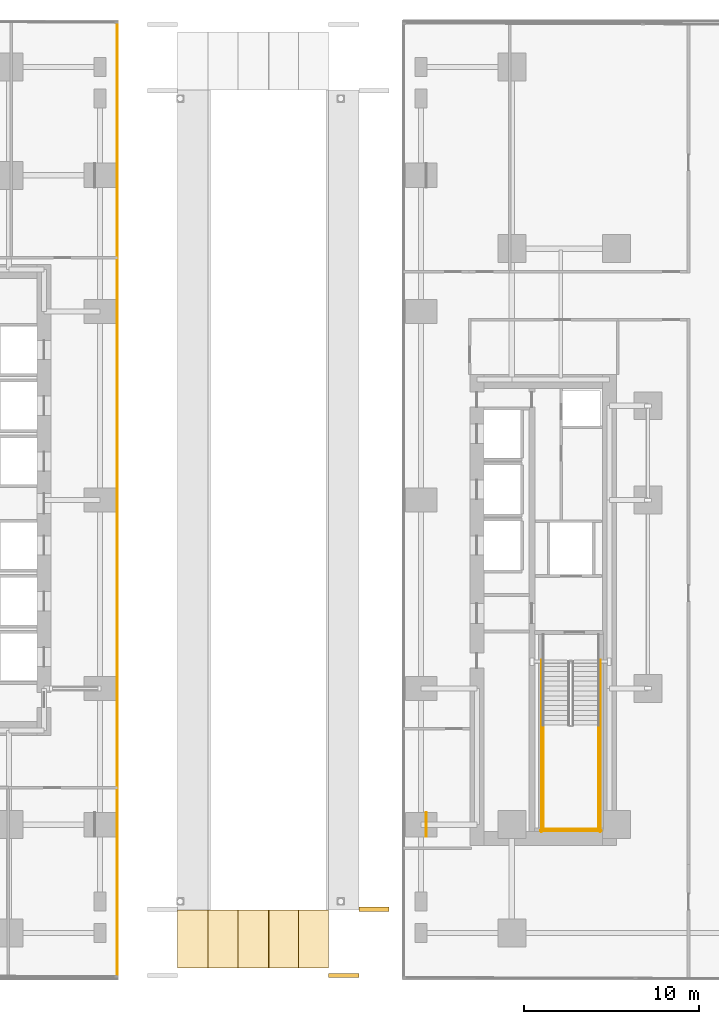
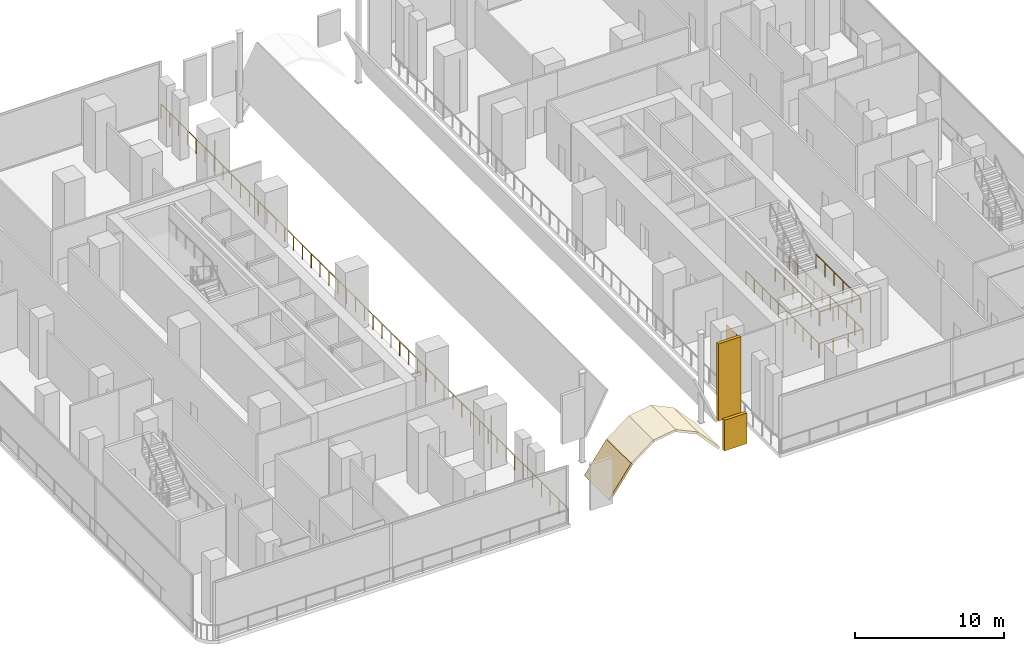
# One storey, part 24 of 31: 8 coverings, 7 railings.
"""IFC4 building model written with IfcOpenShell, lengths in metres."""

from ifc_helpers import new_model, si_unit, direction, frame, origin, origin_2d, place, context, subcontext, project, spatial, polyline, rectangle, circle, outline, extrude, material, layer, layer_set, type_object, element, save


model = new_model("IFC4")

# Units and contexts
model_context = context("Model", 3, precision=1e-05, world=origin(), true_north=direction((0.0, 1.0)))
body_context = subcontext(model_context, "Body", "Model", "MODEL_VIEW")
ifc_project = project(units=[si_unit("LENGTHUNIT", "METRE"), si_unit("AREAUNIT", "SQUARE_METRE"), si_unit("VOLUMEUNIT", "CUBIC_METRE"), si_unit("PLANEANGLEUNIT", "RADIAN"), si_unit("MASSUNIT", "GRAM", prefix="KILO")], contexts=[model_context])

# Site, building, storey
site_placement = place(None, origin())
site = spatial("IfcSite", under=ifc_project, at=site_placement, CompositionType="ELEMENT")
building_placement = place(site_placement, origin())
building = spatial("IfcBuilding", under=site, at=building_placement, Name="Khairoan Windgate Tower", CompositionType="ELEMENT")
storey_placement = place(building_placement, frame((0.0, 0.0, 11.0)))
storey = spatial("IfcBuildingStorey", under=building, at=storey_placement, Name="L03", CompositionType="ELEMENT", Elevation=11.0)

# Railing
ifc_material_1 = material(Name="Anodised Bronze Aluminium 6063-T6", Category="aluminium")
railing_type_1 = type_object("IfcRailingType", Name="Aerodynamic Bronze-and-Glass Balustrade BAL-1200", PredefinedType="BALUSTRADE", material=ifc_material_1)
railing_1_placement = place(storey_placement, frame((-8.199951171875, 27.356689453125, 0.0)))
element("IfcRailing", 1, at=railing_1_placement, inside=storey, type_object=railing_type_1, Name="L03 Arch Void Edge Guardrail 1", PredefinedType="BALUSTRADE", context=body_context, shape_type="SweptSolid", body=[
    extrude(circle(Radius=0.02392578125, at=origin_2d()), frame((0.0, 0.0, 1.17578125), z_axis=(0.0, -1.0, 0.0), x_axis=(1.0, 0.0, 0.0)), (0.0, 0.0, 1.0), 54.661865234375),
    extrude(circle(Radius=0.02099609375, at=origin_2d()), origin(), (0.0, 0.0, 1.0), 1.15185546875),
    extrude(circle(Radius=0.02099609375, at=origin_2d()), frame((0.0, -1.188232421875, 0.0)), (0.0, 0.0, 1.0), 1.15185546875),
    extrude(circle(Radius=0.02099609375, at=origin_2d()), frame((0.0, -2.376708984375, 0.0)), (0.0, 0.0, 1.0), 1.15185546875),
    extrude(circle(Radius=0.02099609375, at=origin_2d()), frame((0.0, -3.56494140625, 0.0)), (0.0, 0.0, 1.0), 1.15185546875),
    extrude(circle(Radius=0.02099609375, at=origin_2d()), frame((0.0, -4.753173828125, 0.0)), (0.0, 0.0, 1.0), 1.15185546875),
    extrude(circle(Radius=0.02099609375, at=origin_2d()), frame((0.0, -5.94140625, 0.0)), (0.0, 0.0, 1.0), 1.15185546875),
    extrude(circle(Radius=0.02099609375, at=origin_2d()), frame((0.0, -7.1298828125, 0.0)), (0.0, 0.0, 1.0), 1.15185546875),
    extrude(circle(Radius=0.02099609375, at=origin_2d()), frame((0.0, -8.318115234375, 0.0)), (0.0, 0.0, 1.0), 1.15185546875),
    extrude(circle(Radius=0.02099609375, at=origin_2d()), frame((0.0, -9.50634765625, 0.0)), (0.0, 0.0, 1.0), 1.15185546875),
    extrude(circle(Radius=0.02099609375, at=origin_2d()), frame((0.0, -10.69482421875, 0.0)), (0.0, 0.0, 1.0), 1.15185546875),
    extrude(circle(Radius=0.02099609375, at=origin_2d()), frame((0.0, -11.883056640625, 0.0)), (0.0, 0.0, 1.0), 1.15185546875),
    extrude(circle(Radius=0.02099609375, at=origin_2d()), frame((0.0, -13.0712890625, 0.0)), (0.0, 0.0, 1.0), 1.15185546875),
    extrude(circle(Radius=0.02099609375, at=origin_2d()), frame((0.0, -14.259521484375, 0.0)), (0.0, 0.0, 1.0), 1.15185546875),
    extrude(circle(Radius=0.02099609375, at=origin_2d()), frame((0.0, -15.447998046875, 0.0)), (0.0, 0.0, 1.0), 1.15185546875),
    extrude(circle(Radius=0.02099609375, at=origin_2d()), frame((0.0, -16.63623046875, 0.0)), (0.0, 0.0, 1.0), 1.15185546875),
    extrude(circle(Radius=0.02099609375, at=origin_2d()), frame((0.0, -17.824462890625, 0.0)), (0.0, 0.0, 1.0), 1.15185546875),
    extrude(circle(Radius=0.02099609375, at=origin_2d()), frame((0.0, -19.012939453125, 0.0)), (0.0, 0.0, 1.0), 1.15185546875),
    extrude(circle(Radius=0.02099609375, at=origin_2d()), frame((0.0, -20.201171875, 0.0)), (0.0, 0.0, 1.0), 1.15185546875),
    extrude(circle(Radius=0.02099609375, at=origin_2d()), frame((0.0, -21.389404296875, 0.0)), (0.0, 0.0, 1.0), 1.15185546875),
    extrude(circle(Radius=0.02099609375, at=origin_2d()), frame((0.0, -22.57763671875, 0.0)), (0.0, 0.0, 1.0), 1.15185546875),
    extrude(circle(Radius=0.02099609375, at=origin_2d()), frame((0.0, -23.76611328125, 0.0)), (0.0, 0.0, 1.0), 1.15185546875),
    extrude(circle(Radius=0.02099609375, at=origin_2d()), frame((0.0, -24.954345703125, 0.0)), (0.0, 0.0, 1.0), 1.15185546875),
    extrude(circle(Radius=0.02099609375, at=origin_2d()), frame((0.0, -26.142578125, 0.0)), (0.0, 0.0, 1.0), 1.15185546875),
    extrude(circle(Radius=0.02099609375, at=origin_2d()), frame((0.0, -27.3310546875, 0.0)), (0.0, 0.0, 1.0), 1.15185546875),
    extrude(circle(Radius=0.02099609375, at=origin_2d()), frame((0.0, -28.519287109375, 0.0)), (0.0, 0.0, 1.0), 1.15185546875),
    extrude(circle(Radius=0.02099609375, at=origin_2d()), frame((0.0, -29.70751953125, 0.0)), (0.0, 0.0, 1.0), 1.15185546875),
    extrude(circle(Radius=0.02099609375, at=origin_2d()), frame((0.0, -30.895751953125, 0.0)), (0.0, 0.0, 1.0), 1.15185546875),
    extrude(circle(Radius=0.02099609375, at=origin_2d()), frame((0.0, -32.084228515625, 0.0)), (0.0, 0.0, 1.0), 1.15185546875),
    extrude(circle(Radius=0.02099609375, at=origin_2d()), frame((0.0, -33.2724609375, 0.0)), (0.0, 0.0, 1.0), 1.15185546875),
    extrude(circle(Radius=0.02099609375, at=origin_2d()), frame((0.0, -34.460693359375, 0.0)), (0.0, 0.0, 1.0), 1.15185546875),
    extrude(circle(Radius=0.02099609375, at=origin_2d()), frame((0.0, -35.64892578125, 0.0)), (0.0, 0.0, 1.0), 1.15185546875),
    extrude(circle(Radius=0.02099609375, at=origin_2d()), frame((0.0, -36.83740234375, 0.0)), (0.0, 0.0, 1.0), 1.15185546875),
    extrude(circle(Radius=0.02099609375, at=origin_2d()), frame((0.0, -38.025634765625, 0.0)), (0.0, 0.0, 1.0), 1.15185546875),
    extrude(circle(Radius=0.02099609375, at=origin_2d()), frame((0.0, -39.2138671875, 0.0)), (0.0, 0.0, 1.0), 1.15185546875),
    extrude(circle(Radius=0.02099609375, at=origin_2d()), frame((0.0, -40.40234375, 0.0)), (0.0, 0.0, 1.0), 1.15185546875),
    extrude(circle(Radius=0.02099609375, at=origin_2d()), frame((0.0, -41.590576171875, 0.0)), (0.0, 0.0, 1.0), 1.15185546875),
    extrude(circle(Radius=0.02099609375, at=origin_2d()), frame((0.0, -42.77880859375, 0.0)), (0.0, 0.0, 1.0), 1.15185546875),
    extrude(circle(Radius=0.02099609375, at=origin_2d()), frame((0.0, -43.967041015625, 0.0)), (0.0, 0.0, 1.0), 1.15185546875),
    extrude(circle(Radius=0.02099609375, at=origin_2d()), frame((0.0, -45.155517578125, 0.0)), (0.0, 0.0, 1.0), 1.15185546875),
    extrude(circle(Radius=0.02099609375, at=origin_2d()), frame((0.0, -46.34375, 0.0)), (0.0, 0.0, 1.0), 1.15185546875),
    extrude(circle(Radius=0.02099609375, at=origin_2d()), frame((0.0, -47.531982421875, 0.0)), (0.0, 0.0, 1.0), 1.15185546875),
    extrude(circle(Radius=0.02099609375, at=origin_2d()), frame((0.0, -48.720458984375, 0.0)), (0.0, 0.0, 1.0), 1.15185546875),
    extrude(circle(Radius=0.02099609375, at=origin_2d()), frame((0.0, -49.90869140625, 0.0)), (0.0, 0.0, 1.0), 1.15185546875),
    extrude(circle(Radius=0.02099609375, at=origin_2d()), frame((0.0, -51.096923828125, 0.0)), (0.0, 0.0, 1.0), 1.15185546875),
    extrude(circle(Radius=0.02099609375, at=origin_2d()), frame((0.0, -52.28515625, 0.0)), (0.0, 0.0, 1.0), 1.15185546875),
    extrude(circle(Radius=0.02099609375, at=origin_2d()), frame((0.0, -53.4736328125, 0.0)), (0.0, 0.0, 1.0), 1.15185546875),
    extrude(circle(Radius=0.02099609375, at=origin_2d()), frame((0.0, -54.661865234375, 0.0)), (0.0, 0.0, 1.0), 1.15185546875),
])

# Coverings
ifc_material_2 = material(Name="Anodised Bronze Aluminium 6063-T6", Category="aluminium")
ifc_layer_1 = layer(ifc_material_2, 0.0400390625, Name="Anodised Bronze Aluminium 6063-T6")
ifc_layer_set_1 = layer_set([ifc_layer_1], Name="Anodised Bronze Aluminium 6063-T6")
covering_type_1 = type_object("IfcCoveringType", Name="Anodised Bronze Arch Pier Cladding", PredefinedType="CLADDING", material=ifc_layer_set_1)
covering_1_placement = place(storey_placement, frame((9.5, -18.60009765625, 0.0), z_axis=(0.0, 0.0, 1.0), x_axis=(1.0, 0.0, 0.0)))
element("IfcCovering", 2, at=covering_1_placement, inside=storey, type_object=covering_type_1, Name="L03 Arch Pier Bronze Cladding 02", PredefinedType="CLADDING", context=body_context, shape_type="SweptSolid", body=[
    extrude(rectangle(XDim=0.0400390625, YDim=1.39990234375, at=origin_2d()), origin(), (0.0, 0.0, 1.0), 4.39990234375),
])
ifc_material_3 = material(Name="Anodised Bronze Aluminium 6063-T6", Category="aluminium")
ifc_layer_2 = layer(ifc_material_3, 0.179931640625, Name="Anodised Bronze Aluminium 6063-T6")
ifc_layer_set_2 = layer_set([ifc_layer_2], Name="Anodised Bronze Aluminium 6063-T6")
covering_type_2 = type_object("IfcCoveringType", Name="Sculpted Parabolic Arch and Crown Cladding", PredefinedType="CLADDING", material=ifc_layer_set_2)
covering_2_placement = place(storey_placement, frame((-4.739990234375, -26.800048828125, 0.35693359375), z_axis=(-0.809216253039, 0.0, 0.587510898467), x_axis=(0.587510898467, 0.0, 0.809216253039)))
element("IfcCovering", 3, at=covering_2_placement, inside=storey, type_object=covering_type_2, Name="Podium Parabolic Arch Mouth Vault S-03", PredefinedType="CLADDING", context=body_context, shape_type="SweptSolid", body=[
    extrude(outline(polyline([(0.0, 0.0), (2.9445929824701955, 0.0), (2.9445929824701955, 3.300048828125), (0.0, 3.300048828125), (0.0, 0.0)])), origin(), (0.0, 0.0, -1.0), 0.179931640625),
])
covering_3_placement = place(storey_placement, frame((-3.010009765625, -26.800048828125, 2.73974609375), z_axis=(-0.606337334834, 0.0, 0.795207542964), x_axis=(0.795207542964, 0.0, 0.606337334834)))
element("IfcCovering", 4, at=covering_3_placement, inside=storey, type_object=covering_type_2, Name="Podium Parabolic Arch Mouth Vault S-04", PredefinedType="CLADDING", context=body_context, shape_type="SweptSolid", body=[
    extrude(outline(polyline([(0.0, 0.0), (2.1755081224484973, 0.0), (2.1755081224484973, 3.300048828125), (0.0, 3.300048828125), (0.0, 0.0)])), origin(), (0.0, 0.0, -1.0), 0.179931640625),
])
covering_4_placement = place(storey_placement, frame((-1.280029296875, -26.800048828125, 4.058837890625), z_axis=(-0.145895913517, 0.0, 0.989299945628), x_axis=(0.989299945628, 0.0, 0.145895913517)))
element("IfcCovering", 5, at=covering_4_placement, inside=storey, type_object=covering_type_2, Name="Podium Parabolic Arch Mouth Vault S-05", PredefinedType="CLADDING", context=body_context, shape_type="SweptSolid", body=[
    extrude(outline(polyline([(0.0, 0.0), (1.7486915635604, 0.0), (1.7486915635604, 3.300048828125001), (0.0, 3.300048828125001), (0.0, 0.0)])), origin(), (0.0, 0.0, -1.0), 0.179931640625),
])
covering_5_placement = place(storey_placement, frame((0.449951171875, -26.800048828125, 4.31396484375), z_axis=(0.423431307248, 0.0, 0.905928213515), x_axis=(0.905928213515, 0.0, -0.423431307248)))
element("IfcCovering", 6, at=covering_5_placement, inside=storey, type_object=covering_type_2, Name="Podium Parabolic Arch Mouth Vault S-06", PredefinedType="CLADDING", context=body_context, shape_type="SweptSolid", body=[
    extrude(outline(polyline([(0.0, 0.0), (1.909622024065373, 0.0), (1.909622024065373, 3.3000488281249996), (0.0, 3.3000488281249996), (0.0, 0.0)])), origin(), (0.0, 0.0, -1.0), 0.179931640625),
])
covering_6_placement = place(storey_placement, frame((2.179931640625, -26.800048828125, 3.50537109375), z_axis=(0.734472899278, 0.0, 0.678638018553), x_axis=(0.678638018553, 0.0, -0.734472899278)))
element("IfcCovering", 7, at=covering_6_placement, inside=storey, type_object=covering_type_2, Name="Podium Parabolic Arch Mouth Vault S-07", PredefinedType="CLADDING", context=body_context, shape_type="SweptSolid", body=[
    extrude(outline(polyline([(0.0, 0.0), (2.5491947421955112, 0.0), (2.5491947421955112, 3.300048828125), (0.0, 3.300048828125), (0.0, 0.0)])), origin(), (0.0, 0.0, -1.0), 0.179931640625),
])
covering_7_placement = place(storey_placement, frame((4.77490234375, -27.25, 1.682861328125), z_axis=(0.0, 0.0, 1.0), x_axis=(1.0, 0.0, 0.0)))
element("IfcCovering", 8, at=covering_7_placement, inside=storey, type_object=covering_type_2, Name="Podium Parabolic Arch Tympanum Cladding S-08", PredefinedType="CLADDING", context=body_context, shape_type="SweptSolid", body=[
    extrude(rectangle(XDim=1.72998046875, YDim=0.239990234375, at=origin_2d()), origin(), (0.0, 0.0, 1.0), 2.51708984375),
])
covering_8_placement = place(storey_placement, frame((6.5048828125, -23.449951171875, 1.223388671875), z_axis=(0.0, 0.0, 1.0), x_axis=(1.0, 0.0, 0.0)))
element("IfcCovering", 9, at=covering_8_placement, inside=storey, type_object=covering_type_2, Name="Upper Parabolic Arch Tympanum Cladding S-09", PredefinedType="CLADDING", context=body_context, shape_type="SweptSolid", body=[
    extrude(rectangle(XDim=1.72998046875, YDim=0.239990234375, at=origin_2d()), origin(), (0.0, 0.0, 1.0), 6.31689453125),
])

# Railings
ifc_material_4 = material(Name="Steel S355", Category="steel")
railing_type_2 = type_object("IfcRailingType", Name="Stairwell Safety Guardrail SGR-1150", PredefinedType="GUARDRAIL", material=ifc_material_4)
for number, where, name in (
    (10, (16.199951171875, -12.89990234375, 2.5), "L03 ST1 stair guard 3"),
    (11, (19.3701171875, -12.89990234375, 2.5), "L03 ST1 stair guard 4"),
):
    element("IfcRailing", number, at=place(storey_placement, frame(where)), inside=storey, type_object=railing_type_2, Name=name, PredefinedType="GUARDRAIL", context=body_context, shape_type="SweptSolid", body=[
        extrude(circle(Radius=0.02392578125, at=origin_2d()), frame((0.0, 0.0, 1.1259765625), z_axis=(0.0, -1.0, 0.0), x_axis=(1.0, 0.0, 0.0)), (0.0, 0.0, 1.0), 6.0),
        extrude(circle(Radius=0.02099609375, at=origin_2d()), origin(), (0.0, 0.0, 1.0), 1.101806640625),
        extrude(circle(Radius=0.02099609375, at=origin_2d()), frame((0.0, -1.199951171875, 0.0)), (0.0, 0.0, 1.0), 1.101806640625),
        extrude(circle(Radius=0.02099609375, at=origin_2d()), frame((0.0, -2.39990234375, 0.0)), (0.0, 0.0, 1.0), 1.101806640625),
        extrude(circle(Radius=0.02099609375, at=origin_2d()), frame((0.0, -3.60009765625, 0.0)), (0.0, 0.0, 1.0), 1.101806640625),
        extrude(circle(Radius=0.02099609375, at=origin_2d()), frame((0.0, -4.800048828125, 0.0)), (0.0, 0.0, 1.0), 1.101806640625),
        extrude(circle(Radius=0.02099609375, at=origin_2d()), frame((0.0, -6.0, 0.0)), (0.0, 0.0, 1.0), 1.101806640625),
    ])
railing_2_placement = place(storey_placement, frame((16.14990234375, -18.85009765625, 2.5)))
element("IfcRailing", 12, at=railing_2_placement, inside=storey, type_object=railing_type_2, Name="L03 ST1 stair guard 5", PredefinedType="GUARDRAIL", context=body_context, shape_type="SweptSolid", body=[
    extrude(circle(Radius=0.02392578125, at=origin_2d()), frame((0.0, 0.0, 1.1259765625), z_axis=(1.0, 0.0, 0.0), x_axis=(0.0, 1.0, 0.0)), (0.0, 0.0, 1.0), 3.27001953125),
    extrude(circle(Radius=0.02099609375, at=origin_2d()), origin(), (0.0, 0.0, 1.0), 1.101806640625),
    extrude(circle(Radius=0.02099609375, at=origin_2d()), frame((1.090087890625, 0.0, 0.0)), (0.0, 0.0, 1.0), 1.101806640625),
    extrude(circle(Radius=0.02099609375, at=origin_2d()), frame((2.179931640625, 0.0, 0.0)), (0.0, 0.0, 1.0), 1.101806640625),
    extrude(circle(Radius=0.02099609375, at=origin_2d()), frame((3.27001953125, 0.0, 0.0)), (0.0, 0.0, 1.0), 1.101806640625),
])
for number, where, name in (
    (13, (16.10009765625, -9.159912109375, 0.0), "L03 ST1 stair guard 10"),
    (14, (19.469970703125, -9.159912109375, 0.0), "L03 ST1 stair guard 11"),
):
    element("IfcRailing", number, at=place(storey_placement, frame(where)), inside=storey, type_object=railing_type_2, Name=name, PredefinedType="GUARDRAIL", context=body_context, shape_type="SweptSolid", body=[
        extrude(circle(Radius=0.02392578125, at=origin_2d()), frame((0.0, 0.0, 1.1259765625), z_axis=(0.0, -1.0, 0.0), x_axis=(1.0, 0.0, 0.0)), (0.0, 0.0, 1.0), 9.840087890625),
        extrude(circle(Radius=0.02099609375, at=origin_2d()), origin(), (0.0, 0.0, 1.0), 1.101806640625),
        extrude(circle(Radius=0.02099609375, at=origin_2d()), frame((0.0, -1.09326171875, 0.0)), (0.0, 0.0, 1.0), 1.101806640625),
        extrude(circle(Radius=0.02099609375, at=origin_2d()), frame((0.0, -2.186767578125, 0.0)), (0.0, 0.0, 1.0), 1.101806640625),
        extrude(circle(Radius=0.02099609375, at=origin_2d()), frame((0.0, -3.280029296875, 0.0)), (0.0, 0.0, 1.0), 1.101806640625),
        extrude(circle(Radius=0.02099609375, at=origin_2d()), frame((0.0, -4.373291015625, 0.0)), (0.0, 0.0, 1.0), 1.101806640625),
        extrude(circle(Radius=0.02099609375, at=origin_2d()), frame((0.0, -5.466796875, 0.0)), (0.0, 0.0, 1.0), 1.101806640625),
        extrude(circle(Radius=0.02099609375, at=origin_2d()), frame((0.0, -6.56005859375, 0.0)), (0.0, 0.0, 1.0), 1.101806640625),
        extrude(circle(Radius=0.02099609375, at=origin_2d()), frame((0.0, -7.6533203125, 0.0)), (0.0, 0.0, 1.0), 1.101806640625),
        extrude(circle(Radius=0.02099609375, at=origin_2d()), frame((0.0, -8.746826171875, 0.0)), (0.0, 0.0, 1.0), 1.101806640625),
        extrude(circle(Radius=0.02099609375, at=origin_2d()), frame((0.0, -9.840087890625, 0.0)), (0.0, 0.0, 1.0), 1.101806640625),
    ])
railing_3_placement = place(storey_placement, frame((16.050048828125, -18.949951171875, 0.0)))
element("IfcRailing", 15, at=railing_3_placement, inside=storey, type_object=railing_type_2, Name="L03 ST1 stair guard 12", PredefinedType="GUARDRAIL", context=body_context, shape_type="SweptSolid", body=[
    extrude(circle(Radius=0.02392578125, at=origin_2d()), frame((0.0, 0.0, 1.1259765625), z_axis=(1.0, 0.0, 0.0), x_axis=(0.0, 1.0, 0.0)), (0.0, 0.0, 1.0), 3.469970703125),
    extrude(circle(Radius=0.02099609375, at=origin_2d()), origin(), (0.0, 0.0, 1.0), 1.101806640625),
    extrude(circle(Radius=0.02099609375, at=origin_2d()), frame((1.15673828125, 0.0, 0.0)), (0.0, 0.0, 1.0), 1.101806640625),
    extrude(circle(Radius=0.02099609375, at=origin_2d()), frame((2.313232421875, 0.0, 0.0)), (0.0, 0.0, 1.0), 1.101806640625),
    extrude(circle(Radius=0.02099609375, at=origin_2d()), frame((3.469970703125, 0.0, 0.0)), (0.0, 0.0, 1.0), 1.101806640625),
])

save(model, "model.ifc")
